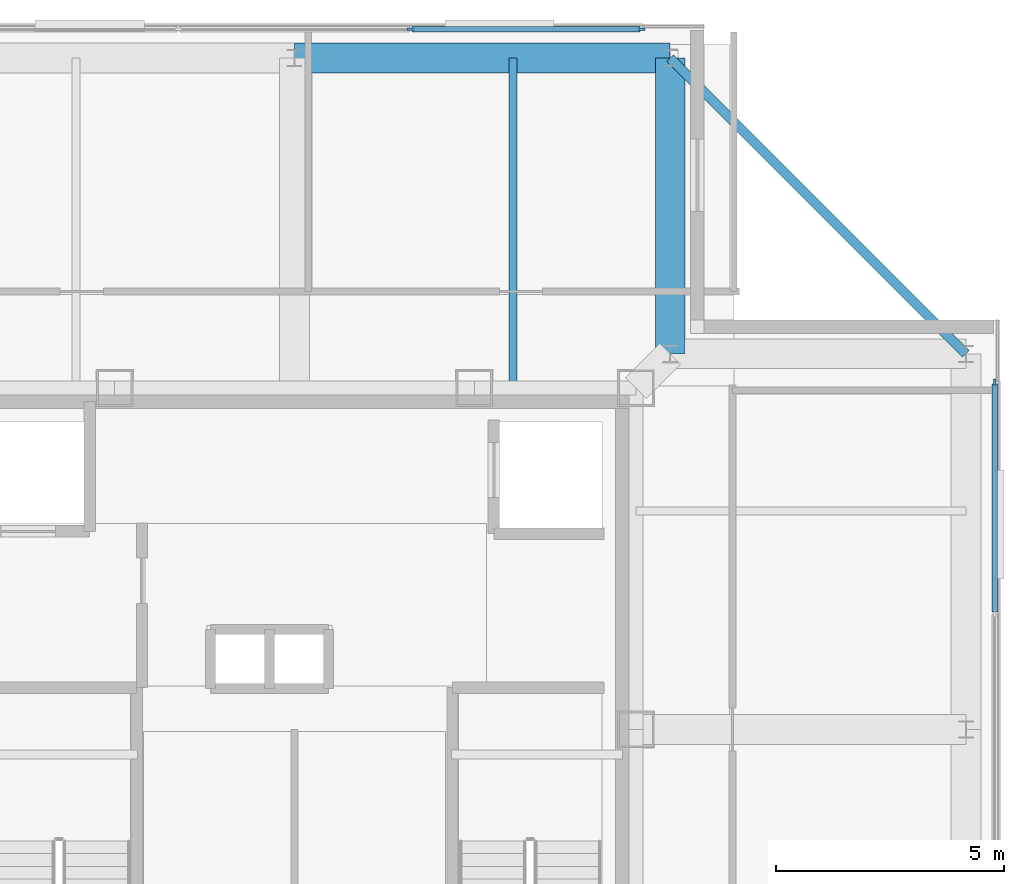
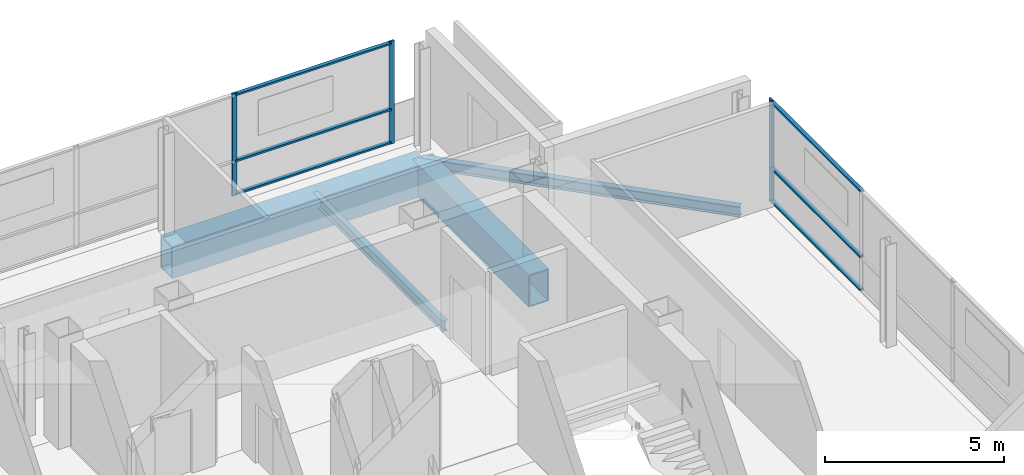
# One storey, part 5 of 10: 9 members, 4 beams, 2 elements without a shape of their own.
"""IFC4 building model written with IfcOpenShell, lengths in metres."""

from ifc_helpers import new_model, si_unit, direction, frame, origin, origin_2d, place, context, subcontext, project, spatial, rectangle, hollow_rectangle, i_section, extrude, material, layer, layer_set, material_profile, profile_set, type_object, element, aggregate, save


model = new_model("IFC4")

# Units and contexts
model_context = context("Model", 3, precision=1e-05, world=origin(), true_north=direction((0.0, 1.0)))
body_context = subcontext(model_context, "Body", "Model", "MODEL_VIEW")
ifc_project = project(units=[si_unit("LENGTHUNIT", "METRE"), si_unit("AREAUNIT", "SQUARE_METRE"), si_unit("VOLUMEUNIT", "CUBIC_METRE"), si_unit("PLANEANGLEUNIT", "RADIAN"), si_unit("MASSUNIT", "GRAM", prefix="KILO")], contexts=[model_context])

# Site, building, storey
site_placement = place(None, origin())
site = spatial("IfcSite", under=ifc_project, at=site_placement, CompositionType="ELEMENT")
building_placement = place(site_placement, origin())
building = spatial("IfcBuilding", under=site, at=building_placement, Name="Trevonay Congress Spire", CompositionType="ELEMENT")
storey_placement = place(building_placement, frame((0.0, 0.0, 319.800048828125)))
storey = spatial("IfcBuildingStorey", under=building, at=storey_placement, Name="L84", CompositionType="ELEMENT", Elevation=319.800048828125)

# Beams
ifc_material_1 = material(Name="Steel ASTM A572 Grade 50", Category="steel")
ifc_material_profile_1 = material_profile(ifc_material_1, hollow_rectangle(XDim=0.64990234375, YDim=1.10009765625, WallThickness=0.044921875, at=origin_2d()), Name="BOX 1100x650x45")
ifc_profile_set_1 = profile_set([ifc_material_profile_1], Name="Steel ASTM A572 Grade 50")
beam_type_1 = type_object("IfcBeamType", Name="BM-RING-BOX1100", PredefinedType="BEAM", material=ifc_profile_set_1)
beam_1_placement = place(storey_placement, frame((0.0, 14.75, -0.830078125), z_axis=(1.0, 0.0, 0.0), x_axis=(0.0, 1.0, 0.0)))
element("IfcBeam", 1, at=beam_1_placement, inside=storey, type_object=beam_type_1, Name="L84 structural beam BM-L84-PN2", PredefinedType="BEAM", context=body_context, shape_type="SweptSolid", body=[
    extrude(hollow_rectangle(XDim=0.64990234375, YDim=1.10009765625, WallThickness=0.044921875, at=origin_2d()), origin(), (0.0, 0.0, 1.0), 8.25),
])
beam_2_placement = place(storey_placement, frame((8.25, 14.75, -0.830078125), z_axis=(0.0, -1.0, 0.0), x_axis=(1.0, 0.0, 0.0)))
element("IfcBeam", 2, at=beam_2_placement, inside=storey, type_object=beam_type_1, Name="L84 structural beam BM-L84-N1NE", PredefinedType="BEAM", context=body_context, shape_type="SweptSolid", body=[
    extrude(hollow_rectangle(XDim=0.64990234375, YDim=1.10009765625, WallThickness=0.044921875, at=origin_2d()), origin(), (0.0, 0.0, 1.0), 6.5),
])

# Curtain wall, members
ifc_material_2 = material(Name="Pale Anodised Aluminium EN AW-6063-T6", Category="aluminium")
ifc_layer = layer(ifc_material_2, 0.159912109375, Name="Pale Anodised Aluminium EN AW-6063-T6")
ifc_layer_set = layer_set([ifc_layer], Name="Pale Anodised Aluminium EN AW-6063-T6")
curtain_wall_type = type_object("IfcCurtainWallType", Name="CW-SYS06-CROWN-PALE-METAL", PredefinedType="NOTDEFINED", material=ifc_layer_set)
curtain_wall_1_placement = place(storey_placement, origin())
curtain_wall_1 = element("IfcCurtainWall", 3, at=curtain_wall_1_placement, inside=storey, type_object=curtain_wall_type, Name="L84 N unitised curtain wall", PredefinedType="NOTDEFINED")
ifc_material_profile_2 = material_profile(ifc_material_2, rectangle(XDim=0.06005859375, YDim=0.159912109375, at=origin_2d()), Name="CW-MULLION-160-ALUMINIUM")
ifc_profile_set_2 = profile_set([ifc_material_profile_2], Name="Pale Anodised Aluminium EN AW-6063-T6")
member_type_1 = type_object("IfcMemberType", Name="CW-MULLION-160-ALUMINIUM", PredefinedType="MULLION", material=ifc_profile_set_2)
member_1_placement = place(storey_placement, frame((2.550048828125, 15.3798828125, 0.0), z_axis=(0.0, 0.0, 1.0), x_axis=(0.0, 1.0, 0.0)))
member_1 = element("IfcMember", 4, at=member_1_placement, type_object=member_type_1, Name="CW06 mullion 3", PredefinedType="MULLION", context=body_context, shape_type="SweptSolid", body=[
    extrude(rectangle(XDim=0.06005859375, YDim=0.159912109375, at=origin_2d()), origin(), (0.0, 0.0, 1.0), 3.5),
])
member_2_placement = place(storey_placement, frame((7.6201171875, 15.3798828125, 0.0), z_axis=(0.0, 0.0, 1.0), x_axis=(0.0, 1.0, 0.0)))
member_2 = element("IfcMember", 5, at=member_2_placement, type_object=member_type_1, Name="CW06 mullion 4", PredefinedType="MULLION", context=body_context, shape_type="SweptSolid", body=[
    extrude(rectangle(XDim=0.06005859375, YDim=0.159912109375, at=origin_2d()), origin(), (0.0, 0.0, 1.0), 3.5),
])

# Curtain wall, member
curtain_wall_2_placement = place(storey_placement, origin())
curtain_wall_2 = element("IfcCurtainWall", 6, at=curtain_wall_2_placement, inside=storey, type_object=curtain_wall_type, Name="L84 E unitised curtain wall", PredefinedType="NOTDEFINED")
member_3_placement = place(storey_placement, frame((15.3798828125, 7.6201171875, 0.0), z_axis=(0.0, 0.0, 1.0), x_axis=(-1.0, 0.0, 0.0)))
member_3 = element("IfcMember", 7, at=member_3_placement, type_object=member_type_1, Name="CW06 mullion 4", PredefinedType="MULLION", context=body_context, shape_type="SweptSolid", body=[
    extrude(rectangle(XDim=0.06005859375, YDim=0.159912109375, at=origin_2d()), origin(), (0.0, 0.0, 1.0), 3.5),
])

# Member
ifc_material_profile_3 = material_profile(ifc_material_2, rectangle(XDim=0.1201171875, YDim=0.06005859375, at=origin_2d()), Name="CW-TRANSOM-120-ALUMINIUM")
ifc_profile_set_3 = profile_set([ifc_material_profile_3], Name="Pale Anodised Aluminium EN AW-6063-T6")
member_type_2 = type_object("IfcMemberType", Name="CW-TRANSOM-120-ALUMINIUM", PredefinedType="USERDEFINED", material=ifc_profile_set_3)
member_4_placement = place(storey_placement, frame((2.580078125, 15.3798828125, 0.06005859375), z_axis=(1.0, 0.0, 0.0), x_axis=(0.0, 1.0, 0.0)))
member_4 = element("IfcMember", 8, at=member_4_placement, type_object=member_type_2, Name="CW06 transom 3.1", ObjectType="TRANSOM", PredefinedType="USERDEFINED", context=body_context, shape_type="SweptSolid", body=[
    extrude(rectangle(XDim=0.1201171875, YDim=0.06005859375, at=origin_2d()), origin(), (0.0, 0.0, 1.0), 5.010009765625),
])

member_5_placement = place(storey_placement, frame((2.580078125, 15.3798828125, 1.18994140625), z_axis=(1.0, 0.0, 0.0), x_axis=(0.0, 1.0, 0.0)))
member_5 = element("IfcMember", 9, at=member_5_placement, type_object=member_type_2, Name="CW06 transom 3.2", ObjectType="TRANSOM", PredefinedType="USERDEFINED", context=body_context, shape_type="SweptSolid", body=[
    extrude(rectangle(XDim=0.1201171875, YDim=0.06005859375, at=origin_2d()), origin(), (0.0, 0.0, 1.0), 5.010009765625),
])

member_6_placement = place(storey_placement, frame((2.580078125, 15.3798828125, 3.43994140625), z_axis=(1.0, 0.0, 0.0), x_axis=(0.0, 1.0, 0.0)))
member_6 = element("IfcMember", 10, at=member_6_placement, type_object=member_type_2, Name="CW06 transom 3.3", ObjectType="TRANSOM", PredefinedType="USERDEFINED", context=body_context, shape_type="SweptSolid", body=[
    extrude(rectangle(XDim=0.1201171875, YDim=0.06005859375, at=origin_2d()), origin(), (0.0, 0.0, 1.0), 5.010009765625),
])

aggregate(curtain_wall_1, [member_1, member_2, member_4, member_5, member_6])

member_7_placement = place(storey_placement, frame((15.3798828125, 2.580078125, 0.06005859375), z_axis=(0.0, 1.0, 0.0), x_axis=(-1.0, 0.0, 0.0)))
member_7 = element("IfcMember", 11, at=member_7_placement, type_object=member_type_2, Name="CW06 transom 3.1", ObjectType="TRANSOM", PredefinedType="USERDEFINED", context=body_context, shape_type="SweptSolid", body=[
    extrude(rectangle(XDim=0.1201171875, YDim=0.06005859375, at=origin_2d()), origin(), (0.0, 0.0, 1.0), 5.010009765625),
])

member_8_placement = place(storey_placement, frame((15.3798828125, 2.580078125, 1.18994140625), z_axis=(0.0, 1.0, 0.0), x_axis=(-1.0, 0.0, 0.0)))
member_8 = element("IfcMember", 12, at=member_8_placement, type_object=member_type_2, Name="CW06 transom 3.2", ObjectType="TRANSOM", PredefinedType="USERDEFINED", context=body_context, shape_type="SweptSolid", body=[
    extrude(rectangle(XDim=0.1201171875, YDim=0.06005859375, at=origin_2d()), origin(), (0.0, 0.0, 1.0), 5.010009765625),
])

member_9_placement = place(storey_placement, frame((15.3798828125, 2.580078125, 3.43994140625), z_axis=(0.0, 1.0, 0.0), x_axis=(-1.0, 0.0, 0.0)))
member_9 = element("IfcMember", 13, at=member_9_placement, type_object=member_type_2, Name="CW06 transom 3.3", ObjectType="TRANSOM", PredefinedType="USERDEFINED", context=body_context, shape_type="SweptSolid", body=[
    extrude(rectangle(XDim=0.1201171875, YDim=0.06005859375, at=origin_2d()), origin(), (0.0, 0.0, 1.0), 5.010009765625),
])

aggregate(curtain_wall_2, [member_3, member_7, member_8, member_9])

# Beams
ifc_material_profile_4 = material_profile(ifc_material_1, i_section(OverallWidth=0.172119140625, OverallDepth=0.35791015625, WebThickness=0.0078125, FlangeThickness=0.01318359375, FilletRadius=0.011962890625, at=origin_2d()), Name="W360x57.8")
ifc_profile_set_4 = profile_set([ifc_material_profile_4], Name="Steel ASTM A572 Grade 50")
beam_type_2 = type_object("IfcBeamType", Name="JS-COMP-W360X57", PredefinedType="JOIST", material=ifc_profile_set_4)
beam_3_placement = place(storey_placement, frame((4.800048828125, 7.5, -0.458984375), z_axis=(0.0, 1.0, 0.0), x_axis=(-1.0, 0.0, 0.0)))
element("IfcBeam", 14, at=beam_3_placement, inside=storey, type_object=beam_type_2, Name="L84 structural beam JS-L84-NS-N3", PredefinedType="JOIST", context=body_context, shape_type="SweptSolid", body=[
    extrude(i_section(OverallWidth=0.172119140625, OverallDepth=0.35791015625, WebThickness=0.0078125, FlangeThickness=0.01318359375, FilletRadius=0.011962890625, at=origin_2d()), origin(), (0.0, 0.0, 1.0), 7.25),
])
ifc_material_profile_5 = material_profile(ifc_material_1, i_section(OverallWidth=0.205078125, OverallDepth=0.35400390625, WebThickness=0.009521484375, FlangeThickness=0.016845703125, FilletRadius=0.011962890625, at=origin_2d()), Name="W360x79")
ifc_profile_set_5 = profile_set([ifc_material_profile_5], Name="Steel ASTM A572 Grade 50")
beam_type_3 = type_object("IfcBeamType", Name="SPB-HSS350", PredefinedType="SPANDREL", material=ifc_profile_set_5)
beam_4_placement = place(storey_placement, frame((8.25, 14.75, -0.45703125), z_axis=(0.707106781187, -0.707106781187, 0.0), x_axis=(0.707106781187, 0.707106781187, 0.0)))
element("IfcBeam", 15, at=beam_4_placement, inside=storey, type_object=beam_type_3, Name="L84 structural beam SPB-L84-NE", PredefinedType="SPANDREL", context=body_context, shape_type="SweptSolid", body=[
    extrude(i_section(OverallWidth=0.205078125, OverallDepth=0.35400390625, WebThickness=0.009521484375, FlangeThickness=0.016845703125, FilletRadius=0.011962890625, at=origin_2d()), origin(), (0.0, 0.0, 1.0), 9.1923828125),
])

save(model, "model.ifc")
